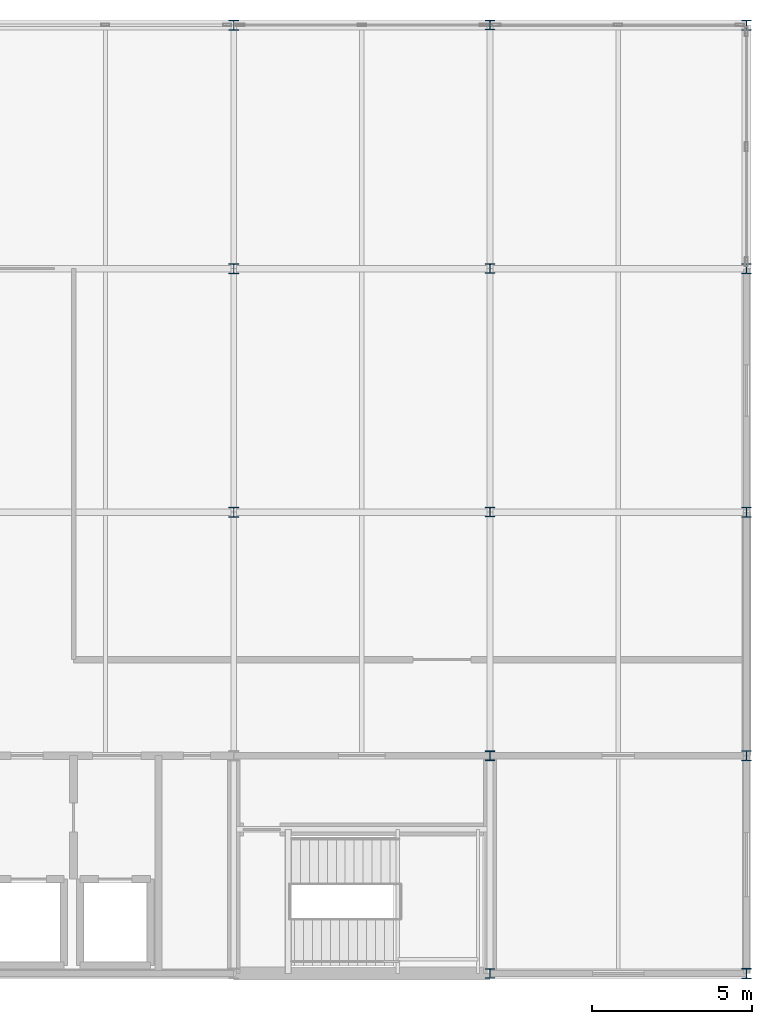
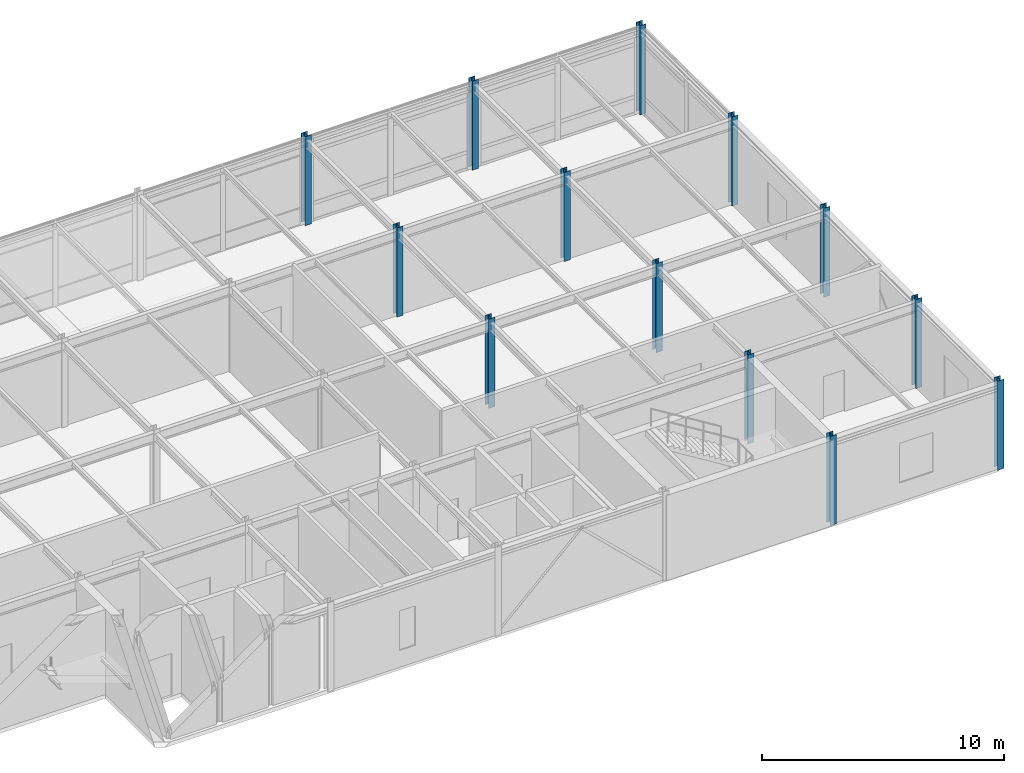
# One storey, part 2 of 12: 13 columns.
"""IFC4 building model written with IfcOpenShell, lengths in metres."""

from ifc_helpers import new_model, si_unit, direction, frame, origin, origin_2d, place, context, subcontext, project, spatial, i_section, extrude, material, material_profile, profile_set, type_object, element, save


model = new_model("IFC4")

# Units and contexts
model_context = context("Model", 3, precision=1e-05, world=origin(), true_north=direction((0.0, 1.0)))
body_context = subcontext(model_context, "Body", "Model", "MODEL_VIEW")
ifc_project = project(units=[si_unit("LENGTHUNIT", "METRE"), si_unit("AREAUNIT", "SQUARE_METRE"), si_unit("VOLUMEUNIT", "CUBIC_METRE"), si_unit("PLANEANGLEUNIT", "RADIAN"), si_unit("MASSUNIT", "GRAM", prefix="KILO")], contexts=[model_context])

# Site, building, storey
site_placement = place(None, origin())
site = spatial("IfcSite", under=ifc_project, at=site_placement, CompositionType="ELEMENT")
building_placement = place(site_placement, origin())
building = spatial("IfcBuilding", under=site, at=building_placement, Name="Shalkamar Park Central Library", CompositionType="ELEMENT")
storey_placement = place(building_placement, frame((0.0, 0.0, 67.800048828125)))
storey = spatial("IfcBuildingStorey", under=building, at=storey_placement, Name="L17", CompositionType="ELEMENT", Elevation=67.800048828125)

# Columns
ifc_material = material(Name="Steel S355", Category="steel")
ifc_material_profile_1 = material_profile(ifc_material, i_section(OverallWidth=0.300048828125, OverallDepth=0.300048828125, WebThickness=0.010986328125, FlangeThickness=0.01904296875, FilletRadius=0.027099609375, at=origin_2d()), Name="HEB 300")
ifc_profile_set_1 = profile_set([ifc_material_profile_1], Name="Steel S355")
column_type_1 = type_object("IfcColumnType", Name="Column Steel HEB300", PredefinedType="COLUMN", material=ifc_profile_set_1)
for number, where, z_axis, x_axis, name in (
    (1, (205.0, 248.39990234375, 0.0), (0.0, 0.0, 1.0), (1.0, 0.0, 0.0), "Column 12/B (L17)"),
    (2, (205.0, 255.199951171875, 0.0), (0.0, 0.0, 1.0), (1.0, 0.0, 0.0), "Column 12/C (L17)"),
    (3, (205.0, 262.800048828125, 0.0), (0.0, 0.0, 1.0), (1.0, 0.0, 0.0), "Column 12/D (L17)"),
    (4, (205.0, 270.39990234375, 0.0), (0.0, 0.0, 1.0), (1.0, 0.0, 0.0), "Column 12/E (L17)"),
    (5, (205.0, 278.0, 0.0), (0.0, 0.0, 1.0), (1.0, 0.0, 0.0), "Column 12/F (L17)"),
):
    element("IfcColumn", number, at=place(storey_placement, frame(where, z_axis=z_axis, x_axis=x_axis)), inside=storey, type_object=column_type_1, Name=name, PredefinedType="COLUMN", context=body_context, shape_type="SweptSolid", body=[
        extrude(i_section(OverallWidth=0.300048828125, OverallDepth=0.300048828125, WebThickness=0.010986328125, FlangeThickness=0.01904296875, FilletRadius=0.027099609375, at=origin_2d()), origin(), (0.0, 0.0, 1.0), 4.5),
    ])
ifc_material_profile_2 = material_profile(ifc_material, i_section(OverallWidth=0.300048828125, OverallDepth=0.320068359375, WebThickness=0.011474609375, FlangeThickness=0.0205078125, FilletRadius=0.027099609375, at=origin_2d()), Name="HEB 320")
ifc_profile_set_2 = profile_set([ifc_material_profile_2], Name="Steel S355")
column_type_2 = type_object("IfcColumnType", Name="Column Steel HEB320", PredefinedType="COLUMN", material=ifc_profile_set_2)
for number, where, z_axis, x_axis, name in (
    (6, (197.0, 262.800048828125, 0.0), (0.0, 0.0, 1.0), (1.0, 0.0, 0.0), "Column 11/D (L17)"),
    (7, (197.0, 270.39990234375, 0.0), (0.0, 0.0, 1.0), (1.0, 0.0, 0.0), "Column 11/E (L17)"),
    (8, (197.0, 278.0, 0.0), (0.0, 0.0, 1.0), (1.0, 0.0, 0.0), "Column 11/F (L17)"),
    (9, (213.0, 248.39990234375, 0.0), (0.0, 0.0, 1.0), (1.0, 0.0, 0.0), "Column 13/B (L17)"),
    (10, (213.0, 255.199951171875, 0.0), (0.0, 0.0, 1.0), (1.0, 0.0, 0.0), "Column 13/C (L17)"),
    (11, (213.0, 262.800048828125, 0.0), (0.0, 0.0, 1.0), (1.0, 0.0, 0.0), "Column 13/D (L17)"),
    (12, (213.0, 270.39990234375, 0.0), (0.0, 0.0, 1.0), (1.0, 0.0, 0.0), "Column 13/E (L17)"),
    (13, (213.0, 278.0, 0.0), (0.0, 0.0, 1.0), (1.0, 0.0, 0.0), "Column 13/F (L17)"),
):
    element("IfcColumn", number, at=place(storey_placement, frame(where, z_axis=z_axis, x_axis=x_axis)), inside=storey, type_object=column_type_2, Name=name, PredefinedType="COLUMN", context=body_context, shape_type="SweptSolid", body=[
        extrude(i_section(OverallWidth=0.300048828125, OverallDepth=0.320068359375, WebThickness=0.011474609375, FlangeThickness=0.0205078125, FilletRadius=0.027099609375, at=origin_2d()), origin(), (0.0, 0.0, 1.0), 4.5),
    ])

save(model, "model.ifc")
